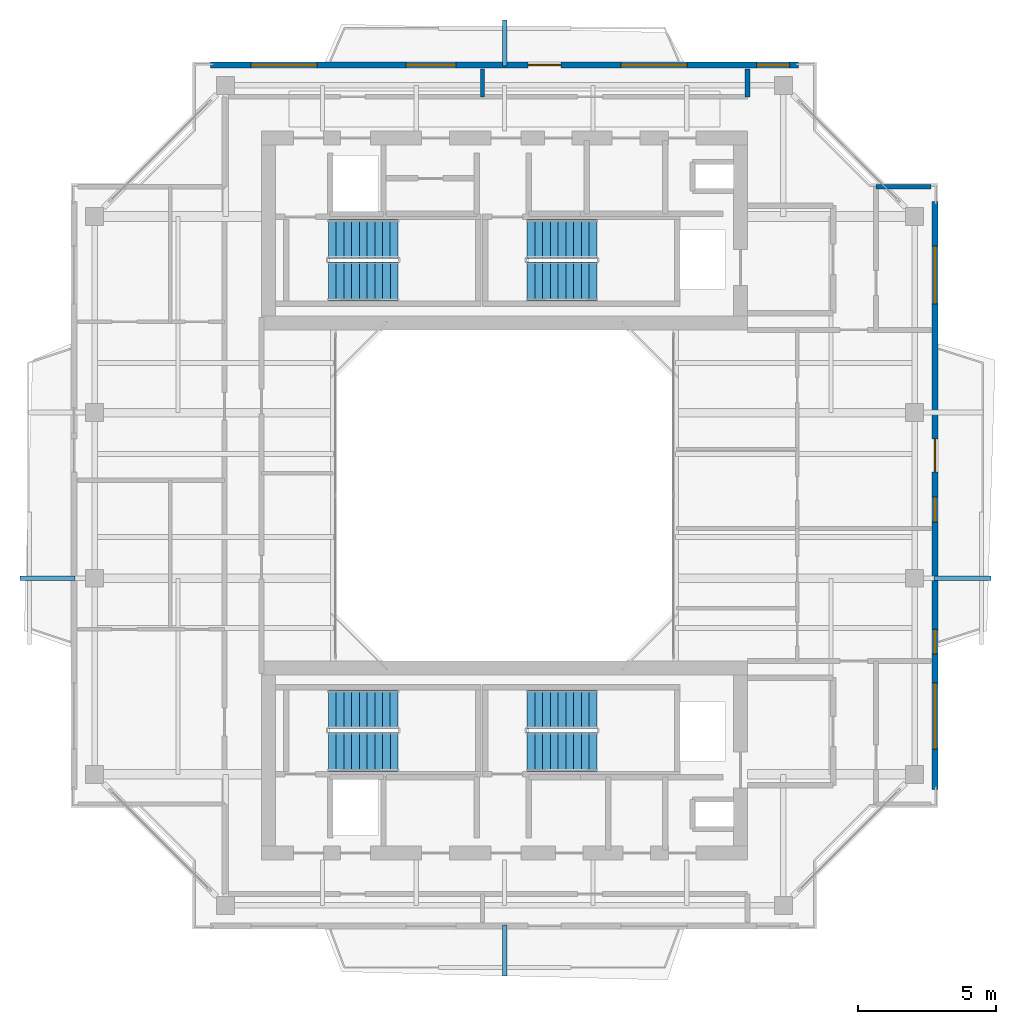
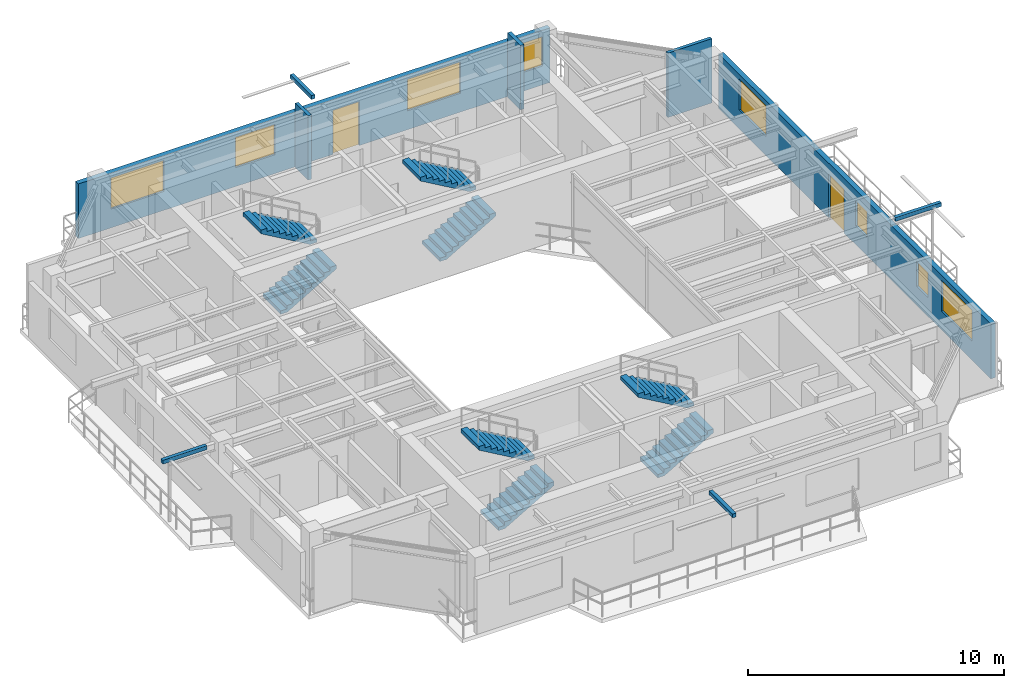
# One storey, part 12 of 15: 8 stair flights, 8 windows, 5 walls, 4 discrete accessories, 2 doors, 10 openings, 4 elements without a shape of their own.
"""IFC4 building model written with IfcOpenShell, lengths in metres."""

from ifc_helpers import new_model, si_unit, direction, frame, frame_2d, origin, origin_2d, place, context, subcontext, project, spatial, polyline, rectangle, outline, extrude, source, transform, mapped, material, layer, layer_set, type_object, element, fill, aggregate, save


model = new_model("IFC4")

# Units and contexts
model_context = context("Model", 3, precision=1e-05, world=origin(), true_north=direction((0.0, 1.0)))
body_context = subcontext(model_context, "Body", "Model", "MODEL_VIEW")
ifc_project = project(units=[si_unit("LENGTHUNIT", "METRE"), si_unit("AREAUNIT", "SQUARE_METRE"), si_unit("VOLUMEUNIT", "CUBIC_METRE"), si_unit("PLANEANGLEUNIT", "RADIAN"), si_unit("MASSUNIT", "GRAM", prefix="KILO"), si_unit("THERMODYNAMICTEMPERATUREUNIT", "KELVIN"), si_unit("POWERUNIT", "WATT")], contexts=[model_context])

# Site, building, storey
site_placement = place(None, origin())
site = spatial("IfcSite", under=ifc_project, at=site_placement, CompositionType="ELEMENT")
building_placement = place(site_placement, origin())
building = spatial("IfcBuilding", under=site, at=building_placement, Name="Qiaomeng Ring Towers", CompositionType="ELEMENT")
storey_placement = place(building_placement, frame((0.0, 0.0, 250.25)))
storey = spatial("IfcBuildingStorey", under=building, at=storey_placement, Name="L73", CompositionType="ELEMENT", Elevation=250.25)

# Wall, openings, windows, door
ifc_material_1 = material(Name="Precast concrete C40", Category="concrete")
ifc_layer_1 = layer(ifc_material_1, 0.219970703125, Name="Precast concrete C40")
ifc_layer_set_1 = layer_set([ifc_layer_1], Name="Precast concrete C40")
wall_type_1 = type_object("IfcWallType", Name="ARC-WL-EW2", PredefinedType="STANDARD", material=ifc_layer_set_1)
wall_1_placement = place(storey_placement, frame((8.35009765625, 38.590087890625, 0.0), z_axis=(0.0, 0.0, 1.0), x_axis=(1.0, 0.0, 0.0)))
wall_1 = element("IfcWall", 1, at=wall_1_placement, inside=storey, type_object=wall_type_1, Name="L73 Tower 1 N Exterior Wall", PredefinedType="STANDARD", context=body_context, shape_type="SweptSolid", body=[
    extrude(rectangle(XDim=21.2998046875, YDim=0.219970703125, at=frame_2d((10.64990234375, 0.0))), origin(), (0.0, 0.0, 1.0), 2.610107421875),
])
opening_1_placement = place(wall_1_placement, frame((11.5, 0.0, 0.0)))
opening_1 = element("IfcOpeningElement", 2, at=opening_1_placement, cuts=wall_1, Name="Opening BD1", PredefinedType="OPENING", context=body_context, shape_type="SweptSolid", body=[
    extrude(rectangle(XDim=1.199951171875, YDim=2.10009765625, at=frame_2d((0.60009765625, 1.050048828125))), frame((0.0, 0.119873046875, 0.0), z_axis=(0.0, -1.0, 0.0), x_axis=(1.0, 0.0, 0.0)), (0.0, 0.0, 1.0), 0.239990234375),
])
opening_2_placement = place(wall_1_placement, frame((1.462890625, 0.0, 0.89990234375)))
opening_2 = element("IfcOpeningElement", 3, at=opening_2_placement, cuts=wall_1, Name="Opening WN6", PredefinedType="OPENING", context=body_context, shape_type="SweptSolid", body=[
    extrude(rectangle(XDim=2.39990234375, YDim=1.47998046875, at=frame_2d((1.199951171875, 0.739990234375))), frame((0.0, 0.119873046875, 0.0), z_axis=(0.0, -1.0, 0.0), x_axis=(1.0, 0.0, 0.0)), (0.0, 0.0, 1.0), 0.239990234375),
])
opening_3_placement = place(wall_1_placement, frame((7.087890625, 0.0, 0.89990234375)))
opening_3 = element("IfcOpeningElement", 4, at=opening_3_placement, cuts=wall_1, Name="Opening WN1", PredefinedType="OPENING", context=body_context, shape_type="SweptSolid", body=[
    extrude(rectangle(XDim=1.800048828125, YDim=1.449951171875, at=frame_2d((0.89990234375, 0.72509765625))), frame((0.0, 0.119873046875, 0.0), z_axis=(0.0, -1.0, 0.0), x_axis=(1.0, 0.0, 0.0)), (0.0, 0.0, 1.0), 0.239990234375),
])
opening_4_placement = place(wall_1_placement, frame((19.77490234375, 0.0, 0.89990234375)))
opening_4 = element("IfcOpeningElement", 5, at=opening_4_placement, cuts=wall_1, Name="Opening WN3", PredefinedType="OPENING", context=body_context, shape_type="SweptSolid", body=[
    extrude(rectangle(XDim=1.199951171875, YDim=1.39990234375, at=frame_2d((0.60009765625, 0.699951171875))), frame((0.0, 0.119873046875, 0.0), z_axis=(0.0, -1.0, 0.0), x_axis=(1.0, 0.0, 0.0)), (0.0, 0.0, 1.0), 0.239990234375),
])
opening_5_placement = place(wall_1_placement, frame((14.860107421875, 0.0, 0.89990234375)))
opening_5 = element("IfcOpeningElement", 6, at=opening_5_placement, cuts=wall_1, Name="Opening WN6", PredefinedType="OPENING", context=body_context, shape_type="SweptSolid", body=[
    extrude(rectangle(XDim=2.39990234375, YDim=1.5, at=frame_2d((1.199951171875, 0.75))), frame((0.0, 0.119873046875, 0.0), z_axis=(0.0, -1.0, 0.0), x_axis=(1.0, 0.0, 0.0)), (0.0, 0.0, 1.0), 0.239990234375),
])
ifc_material_2 = material(Name="Low-E dark-grey laminated double glazing", Category="glass")
window_type_1 = type_object("IfcWindowType", Name="ARC-WN-1", PartitioningType="DOUBLE_PANEL_VERTICAL", PredefinedType="WINDOW", material=ifc_material_2)
shared_shape_1 = source(origin(), body_context, "Body", "SweptSolid", [
    extrude(rectangle(XDim=1.800048828125, YDim=1.449951171875, at=frame_2d((0.89990234375, 0.72509765625))), frame((0.0, 0.030029296875, 0.0), z_axis=(0.0, -1.0, 0.0), x_axis=(1.0, 0.0, 0.0)), (0.0, 0.0, 1.0), 0.06005859375),
])
window_1_placement = place(opening_3_placement, origin())
window_1 = element("IfcWindow", 7, at=window_1_placement, inside=storey, type_object=window_type_1, Name="L73 Exterior Window WN1", OverallHeight=1.449951171875, OverallWidth=1.800048828125, PartitioningType="DOUBLE_PANEL_VERTICAL", PredefinedType="WINDOW", context=body_context, shape_type="MappedRepresentation", body=[
    mapped(shared_shape_1, transform((0.0, 0.0, 0.0), x_axis=(1.0, 0.0, 0.0), y_axis=(0.0, 1.0, 0.0), z_axis=(0.0, 0.0, 1.0), scale=1.0)),
])
fill(opening_3, window_1)
window_type_2 = type_object("IfcWindowType", Name="ARC-WN-6", PartitioningType="TRIPLE_PANEL_VERTICAL", PredefinedType="WINDOW", material=ifc_material_2)
shared_shape_2 = source(origin(), body_context, "Body", "SweptSolid", [
    extrude(rectangle(XDim=2.39990234375, YDim=1.47998046875, at=frame_2d((1.199951171875, 0.739990234375))), frame((0.0, 0.030029296875, 0.0), z_axis=(0.0, -1.0, 0.0), x_axis=(1.0, 0.0, 0.0)), (0.0, 0.0, 1.0), 0.06005859375),
])
window_2_placement = place(opening_2_placement, origin())
window_2 = element("IfcWindow", 8, at=window_2_placement, inside=storey, type_object=window_type_2, Name="L73 Exterior Window WN6", OverallHeight=1.47998046875, OverallWidth=2.39990234375, PartitioningType="TRIPLE_PANEL_VERTICAL", PredefinedType="WINDOW", context=body_context, shape_type="MappedRepresentation", body=[
    mapped(shared_shape_2, transform((0.0, 0.0, 0.0), x_axis=(1.0, 0.0, 0.0), y_axis=(0.0, 1.0, 0.0), z_axis=(0.0, 0.0, 1.0), scale=1.0)),
])
fill(opening_2, window_2)
door_type = type_object("IfcDoorType", Name="ARC-DR-BD1", OperationType="NOTDEFINED", PredefinedType="DOOR", material=ifc_material_2)
shared_shape_3 = source(origin(), body_context, "Body", "SweptSolid", [
    extrude(rectangle(XDim=1.199951171875, YDim=2.10009765625, at=frame_2d((0.60009765625, 1.050048828125))), frame((0.0, 0.02490234375, 0.0), z_axis=(0.0, -1.0, 0.0), x_axis=(1.0, 0.0, 0.0)), (0.0, 0.0, 1.0), 0.050048828125),
])
door_1_placement = place(opening_1_placement, origin())
door_1 = element("IfcDoor", 9, at=door_1_placement, inside=storey, type_object=door_type, Name="L73 N Balcony Glazed Door", OperationType="SINGLE_SWING_LEFT", OverallHeight=2.10009765625, OverallWidth=1.199951171875, PredefinedType="DOOR", context=body_context, shape_type="MappedRepresentation", body=[
    mapped(shared_shape_3, transform((0.0, 0.0, 0.0), x_axis=(1.0, 0.0, 0.0), y_axis=(0.0, 1.0, 0.0), z_axis=(0.0, 0.0, 1.0), scale=1.0)),
])
fill(opening_1, door_1)
shared_shape_4 = source(origin(), body_context, "Body", "SweptSolid", [
    extrude(rectangle(XDim=2.39990234375, YDim=1.5, at=frame_2d((1.199951171875, 0.75))), frame((0.0, 0.030029296875, 0.0), z_axis=(0.0, -1.0, 0.0), x_axis=(1.0, 0.0, 0.0)), (0.0, 0.0, 1.0), 0.06005859375),
])
window_3_placement = place(opening_5_placement, origin())
window_3 = element("IfcWindow", 10, at=window_3_placement, inside=storey, type_object=window_type_2, Name="L73 Exterior Window WN6", OverallHeight=1.5, OverallWidth=2.39990234375, PartitioningType="TRIPLE_PANEL_VERTICAL", PredefinedType="WINDOW", context=body_context, shape_type="MappedRepresentation", body=[
    mapped(shared_shape_4, transform((0.0, 0.0, 0.0), x_axis=(1.0, 0.0, 0.0), y_axis=(0.0, 1.0, 0.0), z_axis=(0.0, 0.0, 1.0), scale=1.0)),
])
fill(opening_5, window_3)
window_type_3 = type_object("IfcWindowType", Name="ARC-WN-3", PartitioningType="SINGLE_PANEL", PredefinedType="WINDOW", material=ifc_material_2)
shared_shape_5 = source(origin(), body_context, "Body", "SweptSolid", [
    extrude(rectangle(XDim=1.199951171875, YDim=1.39990234375, at=frame_2d((0.60009765625, 0.699951171875))), frame((0.0, 0.030029296875, 0.0), z_axis=(0.0, -1.0, 0.0), x_axis=(1.0, 0.0, 0.0)), (0.0, 0.0, 1.0), 0.06005859375),
])
window_4_placement = place(opening_4_placement, origin())
window_4 = element("IfcWindow", 11, at=window_4_placement, inside=storey, type_object=window_type_3, Name="L73 Exterior Window WN4", OverallHeight=1.39990234375, OverallWidth=1.199951171875, PartitioningType="TRIPLE_PANEL_VERTICAL", PredefinedType="WINDOW", context=body_context, shape_type="MappedRepresentation", body=[
    mapped(shared_shape_5, transform((0.0, 0.0, 0.0), x_axis=(1.0, 0.0, 0.0), y_axis=(0.0, 1.0, 0.0), z_axis=(0.0, 0.0, 1.0), scale=1.0)),
])
fill(opening_4, window_4)

wall_2_placement = place(storey_placement, frame((34.590087890625, 12.35009765625, 0.0), z_axis=(0.0, 0.0, 1.0), x_axis=(0.0, 1.0, 0.0)))
wall_2 = element("IfcWall", 12, at=wall_2_placement, inside=storey, type_object=wall_type_1, Name="L73 Tower 1 E Exterior Wall", PredefinedType="STANDARD", context=body_context, shape_type="SweptSolid", body=[
    extrude(rectangle(XDim=21.2998046875, YDim=0.219970703125, at=frame_2d((10.64990234375, 0.0))), origin(), (0.0, 0.0, 1.0), 2.610107421875),
])
opening_6_placement = place(wall_2_placement, frame((11.5, 0.0, 0.0)))
opening_6 = element("IfcOpeningElement", 13, at=opening_6_placement, cuts=wall_2, Name="Opening BD1", PredefinedType="OPENING", context=body_context, shape_type="SweptSolid", body=[
    extrude(rectangle(XDim=1.199951171875, YDim=2.10009765625, at=frame_2d((0.60009765625, 1.050048828125))), frame((0.0, 0.119873046875, 0.0), z_axis=(0.0, -1.0, 0.0), x_axis=(1.0, 0.0, 0.0)), (0.0, 0.0, 1.0), 0.239990234375),
])
opening_7_placement = place(wall_2_placement, frame((1.462890625, 0.0, 0.89990234375)))
opening_7 = element("IfcOpeningElement", 14, at=opening_7_placement, cuts=wall_2, Name="Opening WN6", PredefinedType="OPENING", context=body_context, shape_type="SweptSolid", body=[
    extrude(rectangle(XDim=2.39990234375, YDim=1.47998046875, at=frame_2d((1.199951171875, 0.739990234375))), frame((0.0, 0.119873046875, 0.0), z_axis=(0.0, -1.0, 0.0), x_axis=(1.0, 0.0, 0.0)), (0.0, 0.0, 1.0), 0.239990234375),
])
opening_8_placement = place(wall_2_placement, frame((17.587890625, 0.0, 0.89990234375)))
opening_8 = element("IfcOpeningElement", 15, at=opening_8_placement, cuts=wall_2, Name="Opening WN4", PredefinedType="OPENING", context=body_context, shape_type="SweptSolid", body=[
    extrude(rectangle(XDim=2.10009765625, YDim=1.47998046875, at=frame_2d((1.050048828125, 0.739990234375))), frame((0.0, 0.119873046875, 0.0), z_axis=(0.0, -1.0, 0.0), x_axis=(1.0, 0.0, 0.0)), (0.0, 0.0, 1.0), 0.239990234375),
])
opening_9_placement = place(wall_2_placement, frame((4.89990234375, 0.0, 0.89990234375)))
opening_9 = element("IfcOpeningElement", 16, at=opening_9_placement, cuts=wall_2, Name="Opening WN5", PredefinedType="OPENING", context=body_context, shape_type="SweptSolid", body=[
    extrude(rectangle(XDim=0.89990234375, YDim=1.199951171875, at=frame_2d((0.449951171875, 0.60009765625))), frame((0.0, 0.119873046875, 0.0), z_axis=(0.0, -1.0, 0.0), x_axis=(1.0, 0.0, 0.0)), (0.0, 0.0, 1.0), 0.239990234375),
])
opening_10_placement = place(wall_2_placement, frame((9.68505859375, 0.0, 0.89990234375)))
opening_10 = element("IfcOpeningElement", 17, at=opening_10_placement, cuts=wall_2, Name="Opening WN5", PredefinedType="OPENING", context=body_context, shape_type="SweptSolid", body=[
    extrude(rectangle(XDim=0.89990234375, YDim=1.199951171875, at=frame_2d((0.449951171875, 0.60009765625))), frame((0.0, 0.119873046875, 0.0), z_axis=(0.0, -1.0, 0.0), x_axis=(1.0, 0.0, 0.0)), (0.0, 0.0, 1.0), 0.239990234375),
])
window_type_4 = type_object("IfcWindowType", Name="ARC-WN-4", PartitioningType="TRIPLE_PANEL_VERTICAL", PredefinedType="WINDOW", material=ifc_material_2)
shared_shape_6 = source(origin(), body_context, "Body", "SweptSolid", [
    extrude(rectangle(XDim=2.10009765625, YDim=1.47998046875, at=frame_2d((1.050048828125, 0.739990234375))), frame((0.0, 0.030029296875, 0.0), z_axis=(0.0, -1.0, 0.0), x_axis=(1.0, 0.0, 0.0)), (0.0, 0.0, 1.0), 0.06005859375),
])
window_5_placement = place(opening_8_placement, origin())
window_5 = element("IfcWindow", 18, at=window_5_placement, inside=storey, type_object=window_type_4, Name="L73 Exterior Window WN4", OverallHeight=1.47998046875, OverallWidth=2.10009765625, PartitioningType="TRIPLE_PANEL_VERTICAL", PredefinedType="WINDOW", context=body_context, shape_type="MappedRepresentation", body=[
    mapped(shared_shape_6, transform((0.0, 0.0, 0.0), x_axis=(1.0, 0.0, 0.0), y_axis=(0.0, 1.0, 0.0), z_axis=(0.0, 0.0, 1.0), scale=1.0)),
])
fill(opening_8, window_5)
window_6_placement = place(opening_7_placement, origin())
window_6 = element("IfcWindow", 19, at=window_6_placement, inside=storey, type_object=window_type_2, Name="L73 Exterior Window WN6", OverallHeight=1.47998046875, OverallWidth=2.39990234375, PartitioningType="TRIPLE_PANEL_VERTICAL", PredefinedType="WINDOW", context=body_context, shape_type="MappedRepresentation", body=[
    mapped(shared_shape_2, transform((0.0, 0.0, 0.0), x_axis=(1.0, 0.0, 0.0), y_axis=(0.0, 1.0, 0.0), z_axis=(0.0, 0.0, 1.0), scale=1.0)),
])
fill(opening_7, window_6)
door_2_placement = place(opening_6_placement, origin())
door_2 = element("IfcDoor", 20, at=door_2_placement, inside=storey, type_object=door_type, Name="L73 E Balcony Glazed Door", OperationType="SINGLE_SWING_LEFT", OverallHeight=2.10009765625, OverallWidth=1.199951171875, PredefinedType="DOOR", context=body_context, shape_type="MappedRepresentation", body=[
    mapped(shared_shape_3, transform((0.0, 0.0, 0.0), x_axis=(1.0, 0.0, 0.0), y_axis=(0.0, 1.0, 0.0), z_axis=(0.0, 0.0, 1.0), scale=1.0)),
])
fill(opening_6, door_2)
window_type_5 = type_object("IfcWindowType", Name="ARC-WN-5", PartitioningType="SINGLE_PANEL", PredefinedType="WINDOW", material=ifc_material_2)
shared_shape_7 = source(origin(), body_context, "Body", "SweptSolid", [
    extrude(rectangle(XDim=0.89990234375, YDim=1.199951171875, at=frame_2d((0.449951171875, 0.60009765625))), frame((0.0, 0.030029296875, 0.0), z_axis=(0.0, -1.0, 0.0), x_axis=(1.0, 0.0, 0.0)), (0.0, 0.0, 1.0), 0.06005859375),
])
window_7_placement = place(opening_9_placement, origin())
window_7 = element("IfcWindow", 21, at=window_7_placement, inside=storey, type_object=window_type_5, Name="L73 Exterior Window WN5", OverallHeight=1.199951171875, OverallWidth=0.89990234375, PartitioningType="SINGLE_PANEL", PredefinedType="WINDOW", context=body_context, shape_type="MappedRepresentation", body=[
    mapped(shared_shape_7, transform((0.0, 0.0, 0.0), x_axis=(1.0, 0.0, 0.0), y_axis=(0.0, 1.0, 0.0), z_axis=(0.0, 0.0, 1.0), scale=1.0)),
])
fill(opening_9, window_7)
window_8_placement = place(opening_10_placement, origin())
window_8 = element("IfcWindow", 22, at=window_8_placement, inside=storey, type_object=window_type_5, Name="L73 Exterior Window WN5", OverallHeight=1.199951171875, OverallWidth=0.89990234375, PartitioningType="SINGLE_PANEL", PredefinedType="WINDOW", context=body_context, shape_type="MappedRepresentation", body=[
    mapped(shared_shape_7, transform((0.0, 0.0, 0.0), x_axis=(1.0, 0.0, 0.0), y_axis=(0.0, 1.0, 0.0), z_axis=(0.0, 0.0, 1.0), scale=1.0)),
])
fill(opening_10, window_8)

# Walls
ifc_material_3 = material(Name="Autoclaved aerated concrete block", Category="concrete")
ifc_layer_2 = layer(ifc_material_3, 0.179931640625, Name="Autoclaved aerated concrete block")
ifc_layer_set_2 = layer_set([ifc_layer_2], Name="Autoclaved aerated concrete block")
wall_type_2 = type_object("IfcWallType", Name="ARC-WL-PW2", PredefinedType="PARTITIONING", material=ifc_layer_set_2)
wall_3_placement = place(storey_placement, frame((27.800048828125, 37.43994140625, 0.0), z_axis=(0.0, 0.0, 1.0), x_axis=(0.0, 1.0, 0.0)))
element("IfcWall", 23, at=wall_3_placement, inside=storey, type_object=wall_type_2, Name="L73 Interior Wall PW2", PredefinedType="PARTITIONING", context=body_context, shape_type="SweptSolid", body=[
    extrude(rectangle(XDim=1.010009765625, YDim=0.179931640625, at=frame_2d((0.5048828125, 0.0))), origin(), (0.0, 0.0, 1.0), 3.070068359375),
])
ifc_material_4 = material(Name="Gypsum fireboard steel-stud partition", Category="steel")
ifc_layer_3 = layer(ifc_material_4, 0.14990234375, Name="Gypsum fireboard steel-stud partition")
ifc_layer_set_3 = layer_set([ifc_layer_3], Name="Gypsum fireboard steel-stud partition")
wall_type_3 = type_object("IfcWallType", Name="ARC-WL-PW3", PredefinedType="PARTITIONING", material=ifc_layer_set_3)
wall_4_placement = place(storey_placement, frame((18.199951171875, 37.43994140625, 0.0), z_axis=(0.0, 0.0, 1.0), x_axis=(0.0, 1.0, 0.0)))
element("IfcWall", 24, at=wall_4_placement, inside=storey, type_object=wall_type_3, Name="L73 Interior Wall PW3", PredefinedType="PARTITIONING", context=body_context, shape_type="SweptSolid", body=[
    extrude(rectangle(XDim=1.010009765625, YDim=0.14990234375, at=frame_2d((0.5048828125, 0.0))), origin(), (0.0, 0.0, 1.0), 3.070068359375),
])
wall_5_placement = place(storey_placement, frame((32.449951171875, 34.179931640625, 0.0), z_axis=(0.0, 0.0, 1.0), x_axis=(1.0, 0.0, 0.0)))
element("IfcWall", 25, at=wall_5_placement, inside=storey, type_object=wall_type_3, Name="L73 Interior Wall PW3", PredefinedType="PARTITIONING", context=body_context, shape_type="SweptSolid", body=[
    extrude(rectangle(XDim=2.0, YDim=0.14990234375, at=frame_2d((1.0, 0.0))), origin(), (0.0, 0.0, 1.0), 3.070068359375),
])

# Stair, stair flights
stair_type = type_object("IfcStairType", Name="ARC-ST-325", PredefinedType="HALF_TURN_STAIR", material=ifc_material_1)
stair_1_placement = place(storey_placement, origin())
stair_1 = element("IfcStair", 26, at=stair_1_placement, inside=storey, type_object=stair_type, Name="L73 Tower 1 North Stair 1", PredefinedType="HALF_TURN_STAIR")
stair_flight_type = type_object("IfcStairFlightType", Name="ARC-ST-325-FL", PredefinedType="STRAIGHT", material=ifc_material_1)
shared_shape_8 = source(origin(), body_context, "Body", "SweptSolid", [
    extrude(outline(polyline([(0.0, 0.0), (0.0, 0.16259765625), (0.280029296875, 0.16259765625), (0.280029296875, 0.324951171875), (0.56005859375, 0.324951171875), (0.56005859375, 0.487548828125), (0.840087890625, 0.487548828125), (0.840087890625, 0.64990234375), (1.1201171875, 0.64990234375), (1.1201171875, 0.8125), (1.39990234375, 0.8125), (1.39990234375, 0.97509765625), (1.679931640625, 0.97509765625), (1.679931640625, 1.137451171875), (1.9599609375, 1.137451171875), (1.9599609375, 1.300048828125), (2.239990234375, 1.300048828125), (2.239990234375, 1.46240234375), (2.52001953125, 1.46240234375), (2.52001953125, 1.625), (2.52001953125, 1.2890625), (0.298583984375, 0.0), (0.0, 0.0)])), frame((0.0, 0.699951171875, 0.0), z_axis=(0.0, -1.0, 0.0), x_axis=(1.0, 0.0, 0.0)), (0.0, 0.0, 1.0), 1.39990234375),
])
stair_flight_1_placement = place(storey_placement, frame((12.6201171875, 30.75, 0.0), z_axis=(0.0, 0.0, 1.0), x_axis=(1.0, 0.0, 0.0)))
stair_flight_1 = element("IfcStairFlight", 27, at=stair_flight_1_placement, type_object=stair_flight_type, Name="ST1 flight 1", NumberOfRisers=10, NumberOfTreads=9, PredefinedType="STRAIGHT", RiserHeight=0.1625, TreadLength=0.28, context=body_context, shape_type="MappedRepresentation", body=[
    mapped(shared_shape_8, transform((0.0, 0.0, 0.0), x_axis=(1.0, 0.0, 0.0), y_axis=(0.0, 1.0, 0.0), z_axis=(0.0, 0.0, 1.0), scale=1.0)),
])
stair_flight_2_placement = place(storey_placement, frame((15.139892578125, 32.2900390625, 1.625), z_axis=(0.0, 0.0, 1.0), x_axis=(-1.0, 0.0, 0.0)))
stair_flight_2 = element("IfcStairFlight", 28, at=stair_flight_2_placement, type_object=stair_flight_type, Name="ST1 flight 2", NumberOfRisers=10, NumberOfTreads=9, PredefinedType="STRAIGHT", RiserHeight=0.1625, TreadLength=0.28, context=body_context, shape_type="MappedRepresentation", body=[
    mapped(shared_shape_8, transform((0.0, 0.0, 0.0), x_axis=(1.0, 0.0, 0.0), y_axis=(0.0, 1.0, 0.0), z_axis=(0.0, 0.0, 1.0), scale=1.0)),
])
aggregate(stair_1, [stair_flight_1, stair_flight_2])

stair_2_placement = place(storey_placement, origin())
stair_2 = element("IfcStair", 29, at=stair_2_placement, inside=storey, type_object=stair_type, Name="L73 Tower 1 North Stair 2", PredefinedType="HALF_TURN_STAIR")
stair_flight_3_placement = place(storey_placement, frame((19.820068359375, 30.75, 0.0), z_axis=(0.0, 0.0, 1.0), x_axis=(1.0, 0.0, 0.0)))
stair_flight_3 = element("IfcStairFlight", 30, at=stair_flight_3_placement, type_object=stair_flight_type, Name="ST2 flight 1", NumberOfRisers=10, NumberOfTreads=9, PredefinedType="STRAIGHT", RiserHeight=0.1625, TreadLength=0.28, context=body_context, shape_type="MappedRepresentation", body=[
    mapped(shared_shape_8, transform((0.0, 0.0, 0.0), x_axis=(1.0, 0.0, 0.0), y_axis=(0.0, 1.0, 0.0), z_axis=(0.0, 0.0, 1.0), scale=1.0)),
])
stair_flight_4_placement = place(storey_placement, frame((22.340087890625, 32.2900390625, 1.625), z_axis=(0.0, 0.0, 1.0), x_axis=(-1.0, 0.0, 0.0)))
stair_flight_4 = element("IfcStairFlight", 31, at=stair_flight_4_placement, type_object=stair_flight_type, Name="ST2 flight 2", NumberOfRisers=10, NumberOfTreads=9, PredefinedType="STRAIGHT", RiserHeight=0.1625, TreadLength=0.28, context=body_context, shape_type="MappedRepresentation", body=[
    mapped(shared_shape_8, transform((0.0, 0.0, 0.0), x_axis=(1.0, 0.0, 0.0), y_axis=(0.0, 1.0, 0.0), z_axis=(0.0, 0.0, 1.0), scale=1.0)),
])
aggregate(stair_2, [stair_flight_3, stair_flight_4])

stair_3_placement = place(storey_placement, origin())
stair_3 = element("IfcStair", 32, at=stair_3_placement, inside=storey, type_object=stair_type, Name="L73 Tower 1 South Stair 3", PredefinedType="HALF_TURN_STAIR")
stair_flight_5_placement = place(storey_placement, frame((12.6201171875, 13.7099609375, 0.0), z_axis=(0.0, 0.0, 1.0), x_axis=(1.0, 0.0, 0.0)))
stair_flight_5 = element("IfcStairFlight", 33, at=stair_flight_5_placement, type_object=stair_flight_type, Name="ST3 flight 1", NumberOfRisers=10, NumberOfTreads=9, PredefinedType="STRAIGHT", RiserHeight=0.1625, TreadLength=0.28, context=body_context, shape_type="MappedRepresentation", body=[
    mapped(shared_shape_8, transform((0.0, 0.0, 0.0), x_axis=(1.0, 0.0, 0.0), y_axis=(0.0, 1.0, 0.0), z_axis=(0.0, 0.0, 1.0), scale=1.0)),
])
stair_flight_6_placement = place(storey_placement, frame((15.139892578125, 15.25, 1.625), z_axis=(0.0, 0.0, 1.0), x_axis=(-1.0, 0.0, 0.0)))
stair_flight_6 = element("IfcStairFlight", 34, at=stair_flight_6_placement, type_object=stair_flight_type, Name="ST3 flight 2", NumberOfRisers=10, NumberOfTreads=9, PredefinedType="STRAIGHT", RiserHeight=0.1625, TreadLength=0.28, context=body_context, shape_type="MappedRepresentation", body=[
    mapped(shared_shape_8, transform((0.0, 0.0, 0.0), x_axis=(1.0, 0.0, 0.0), y_axis=(0.0, 1.0, 0.0), z_axis=(0.0, 0.0, 1.0), scale=1.0)),
])
aggregate(stair_3, [stair_flight_5, stair_flight_6])

stair_4_placement = place(storey_placement, origin())
stair_4 = element("IfcStair", 35, at=stair_4_placement, inside=storey, type_object=stair_type, Name="L73 Tower 1 South Stair 4", PredefinedType="HALF_TURN_STAIR")
stair_flight_7_placement = place(storey_placement, frame((19.820068359375, 13.7099609375, 0.0), z_axis=(0.0, 0.0, 1.0), x_axis=(1.0, 0.0, 0.0)))
stair_flight_7 = element("IfcStairFlight", 36, at=stair_flight_7_placement, type_object=stair_flight_type, Name="ST4 flight 1", NumberOfRisers=10, NumberOfTreads=9, PredefinedType="STRAIGHT", RiserHeight=0.1625, TreadLength=0.28, context=body_context, shape_type="MappedRepresentation", body=[
    mapped(shared_shape_8, transform((0.0, 0.0, 0.0), x_axis=(1.0, 0.0, 0.0), y_axis=(0.0, 1.0, 0.0), z_axis=(0.0, 0.0, 1.0), scale=1.0)),
])
stair_flight_8_placement = place(storey_placement, frame((22.340087890625, 15.25, 1.625), z_axis=(0.0, 0.0, 1.0), x_axis=(-1.0, 0.0, 0.0)))
stair_flight_8 = element("IfcStairFlight", 37, at=stair_flight_8_placement, type_object=stair_flight_type, Name="ST4 flight 2", NumberOfRisers=10, NumberOfTreads=9, PredefinedType="STRAIGHT", RiserHeight=0.1625, TreadLength=0.28, context=body_context, shape_type="MappedRepresentation", body=[
    mapped(shared_shape_8, transform((0.0, 0.0, 0.0), x_axis=(1.0, 0.0, 0.0), y_axis=(0.0, 1.0, 0.0), z_axis=(0.0, 0.0, 1.0), scale=1.0)),
])
aggregate(stair_4, [stair_flight_7, stair_flight_8])

# Discrete accessories
ifc_material_5 = material(Name="Stainless steel 316", Category="steel")
discrete_accessory_type = type_object("IfcDiscreteAccessoryType", Name="ARC-ACC-BRACKET", PredefinedType="BRACKET", material=ifc_material_5)
shared_shape_9 = source(origin(), body_context, "Body", "SweptSolid", [
    extrude(rectangle(XDim=0.159912109375, YDim=1.85009765625, at=origin_2d()), origin(), (0.0, 0.0, 1.0), 0.179931640625),
])
discrete_accessory_1_placement = place(storey_placement, frame((19.0, 6.52490234375, 2.89990234375), z_axis=(0.0, 0.0, 1.0), x_axis=(1.0, 0.0, 0.0)))
element("IfcDiscreteAccessory", 38, at=discrete_accessory_1_placement, inside=storey, type_object=discrete_accessory_type, Name="L73 Stainless Outer-Skin Tie Bracket S", PredefinedType="BRACKET", context=body_context, shape_type="MappedRepresentation", body=[
    mapped(shared_shape_9, transform((0.0, 0.0, 0.0), x_axis=(1.0, 0.0, 0.0), y_axis=(0.0, 1.0, 0.0), z_axis=(0.0, 0.0, 1.0), scale=1.0)),
])
shared_shape_10 = source(origin(), body_context, "Body", "SweptSolid", [
    extrude(rectangle(XDim=0.159912109375, YDim=1.669921875, at=origin_2d()), origin(), (0.0, 0.0, 1.0), 0.179931640625),
])
discrete_accessory_2_placement = place(storey_placement, frame((19.0, 39.385009765625, 2.89990234375), z_axis=(0.0, 0.0, 1.0), x_axis=(1.0, 0.0, 0.0)))
element("IfcDiscreteAccessory", 39, at=discrete_accessory_2_placement, inside=storey, type_object=discrete_accessory_type, Name="L73 Stainless Outer-Skin Tie Bracket N", PredefinedType="BRACKET", context=body_context, shape_type="MappedRepresentation", body=[
    mapped(shared_shape_10, transform((0.0, 0.0, 0.0), x_axis=(1.0, 0.0, 0.0), y_axis=(0.0, 1.0, 0.0), z_axis=(0.0, 0.0, 1.0), scale=1.0)),
])
shared_shape_11 = source(origin(), body_context, "Body", "SweptSolid", [
    extrude(rectangle(XDim=2.0, YDim=0.159912109375, at=origin_2d()), origin(), (0.0, 0.0, 1.0), 0.179931640625),
])
discrete_accessory_3_placement = place(storey_placement, frame((2.449951171875, 20.0, 2.89990234375), z_axis=(0.0, 0.0, 1.0), x_axis=(1.0, 0.0, 0.0)))
element("IfcDiscreteAccessory", 40, at=discrete_accessory_3_placement, inside=storey, type_object=discrete_accessory_type, Name="L73 Stainless Outer-Skin Tie Bracket W", PredefinedType="BRACKET", context=body_context, shape_type="MappedRepresentation", body=[
    mapped(shared_shape_11, transform((0.0, 0.0, 0.0), x_axis=(1.0, 0.0, 0.0), y_axis=(0.0, 1.0, 0.0), z_axis=(0.0, 0.0, 1.0), scale=1.0)),
])
shared_shape_12 = source(origin(), body_context, "Body", "SweptSolid", [
    extrude(rectangle(XDim=2.070068359375, YDim=0.159912109375, at=origin_2d()), origin(), (0.0, 0.0, 1.0), 0.179931640625),
])
discrete_accessory_4_placement = place(storey_placement, frame((35.5849609375, 20.0, 2.89990234375), z_axis=(0.0, 0.0, 1.0), x_axis=(1.0, 0.0, 0.0)))
element("IfcDiscreteAccessory", 41, at=discrete_accessory_4_placement, inside=storey, type_object=discrete_accessory_type, Name="L73 Stainless Outer-Skin Tie Bracket E", PredefinedType="BRACKET", context=body_context, shape_type="MappedRepresentation", body=[
    mapped(shared_shape_12, transform((0.0, 0.0, 0.0), x_axis=(1.0, 0.0, 0.0), y_axis=(0.0, 1.0, 0.0), z_axis=(0.0, 0.0, 1.0), scale=1.0)),
])

save(model, "model.ifc")
